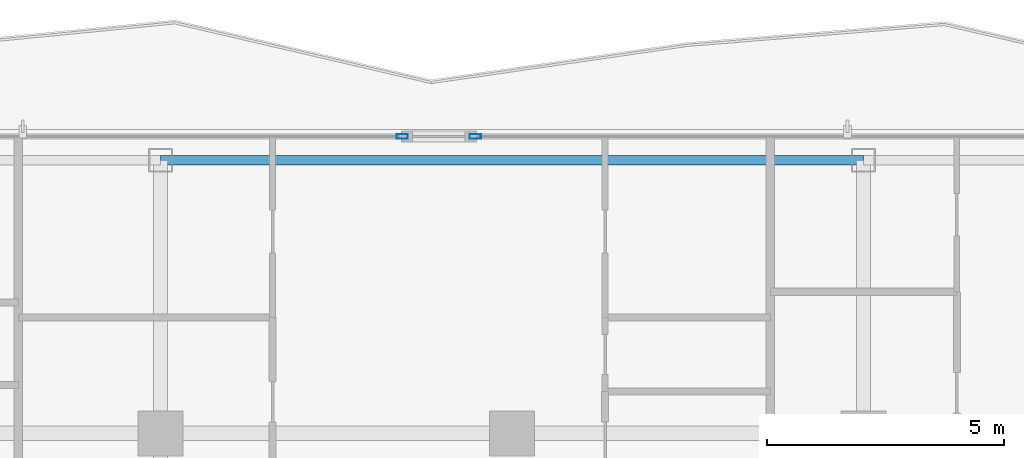
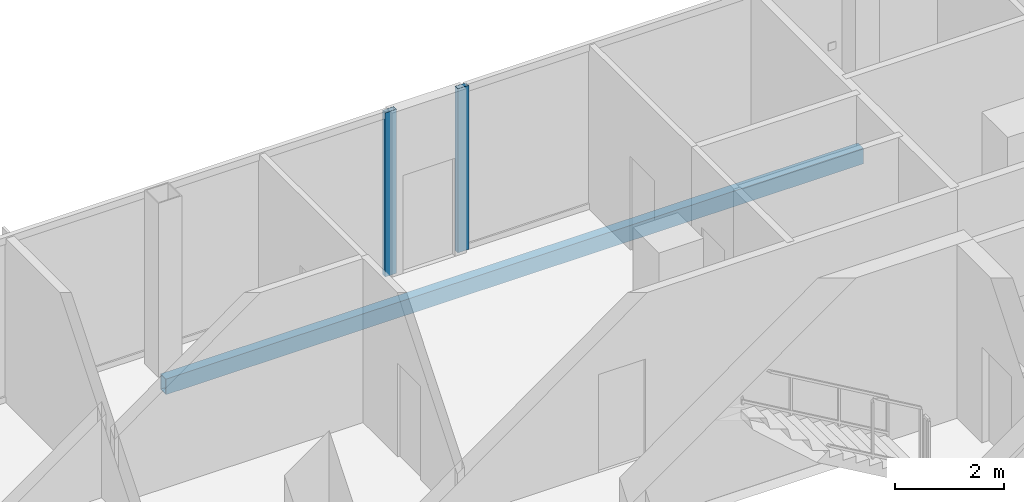
# One storey, part 13 of 26: 2 members, 1 beam, 2 elements without a shape of their own.
"""IFC4 building model written with IfcOpenShell, lengths in metres."""

from ifc_helpers import new_model, si_unit, direction, frame, origin, origin_2d, place, context, subcontext, project, spatial, hollow_rectangle, extrude, material, layer, layer_set, material_profile, profile_set, type_object, element, aggregate, save


model = new_model("IFC4")

# Units and contexts
model_context = context("Model", 3, precision=1e-05, world=origin(), true_north=direction((0.0, 1.0)))
body_context = subcontext(model_context, "Body", "Model", "MODEL_VIEW")
ifc_project = project(units=[si_unit("LENGTHUNIT", "METRE"), si_unit("AREAUNIT", "SQUARE_METRE"), si_unit("VOLUMEUNIT", "CUBIC_METRE"), si_unit("PLANEANGLEUNIT", "RADIAN"), si_unit("MASSUNIT", "GRAM", prefix="KILO")], contexts=[model_context])

# Site, building, storey
site_placement = place(None, origin())
site = spatial("IfcSite", under=ifc_project, at=site_placement, CompositionType="ELEMENT")
building_placement = place(site_placement, origin())
building = spatial("IfcBuilding", under=site, at=building_placement, Name="Khorvyn Point Tower", CompositionType="ELEMENT")
storey_placement = place(building_placement, frame((0.0, 0.0, 289.800048828125)))
storey = spatial("IfcBuildingStorey", under=building, at=storey_placement, Name="L71", CompositionType="ELEMENT", Elevation=289.800048828125)

# Curtain wall, member
ifc_material_1 = material(Name="Anodised aluminium 6063-T6 and laminated Low-E glass", Category="aluminium")
ifc_layer = layer(ifc_material_1, 0.18994140625)
ifc_layer_set = layer_set([ifc_layer], Name="Stick-Built High-Wind Curtain Wall CW-SYS-04")
curtain_wall_type = type_object("IfcCurtainWallType", Name="Stick-Built High-Wind Curtain Wall CW-SYS-04", PredefinedType="NOTDEFINED", material=ifc_layer_set)
curtain_wall_1_placement = place(storey_placement, origin())
curtain_wall_1 = element("IfcCurtainWall", 1, at=curtain_wall_1_placement, inside=storey, type_object=curtain_wall_type, Name="Curtain Wall", PredefinedType="NOTDEFINED")
ifc_material_2 = material(Name="Anodised aluminium 6063-T6", Category="aluminium")
ifc_material_profile_1 = material_profile(ifc_material_2, hollow_rectangle(XDim=0.10009765625, YDim=0.239990234375, WallThickness=0.0048828125, at=origin_2d()))
ifc_profile_set_1 = profile_set([ifc_material_profile_1], Name="Anodised aluminium 6063-T6 ALU-MUL-100x240")
member_type = type_object("IfcMemberType", Name="Anodised Aluminium 6063-T6 Mullion ALU-MUL-100x240", PredefinedType="MULLION", material=ifc_profile_set_1)
member_1_placement = place(storey_placement, frame((-2.31005859375, 21.050048828125, 0.0), z_axis=(0.0, 0.0, 1.0), x_axis=(0.0, 1.0, 0.0)))
member_1 = element("IfcMember", 2, at=member_1_placement, type_object=member_type, Name="Transom", PredefinedType="MULLION", context=body_context, shape_type="SweptSolid", body=[
    extrude(hollow_rectangle(XDim=0.10009765625, YDim=0.239990234375, WallThickness=0.0048828125, at=origin_2d()), origin(), (0.0, 0.0, 1.0), 3.679931640625),
])
aggregate(curtain_wall_1, [member_1])

curtain_wall_2_placement = place(storey_placement, origin())
curtain_wall_2 = element("IfcCurtainWall", 3, at=curtain_wall_2_placement, inside=storey, type_object=curtain_wall_type, Name="Curtain Wall", PredefinedType="NOTDEFINED")
member_2_placement = place(storey_placement, frame((-0.77001953125, 21.050048828125, 0.0), z_axis=(0.0, 0.0, 1.0), x_axis=(0.0, 1.0, 0.0)))
member_2 = element("IfcMember", 4, at=member_2_placement, type_object=member_type, Name="Transom", PredefinedType="MULLION", context=body_context, shape_type="SweptSolid", body=[
    extrude(hollow_rectangle(XDim=0.10009765625, YDim=0.239990234375, WallThickness=0.0048828125, at=origin_2d()), origin(), (0.0, 0.0, 1.0), 3.679931640625),
])
aggregate(curtain_wall_2, [member_2])

# Beam
ifc_material_3 = material(Name="Steel S355", Category="steel")
ifc_material_profile_2 = material_profile(ifc_material_3, hollow_rectangle(XDim=0.199951171875, YDim=0.35009765625, WallThickness=0.013916015625, at=origin_2d()))
ifc_profile_set_2 = profile_set([ifc_material_profile_2], Name="Steel S355 RHS350x200x14")
beam_type = type_object("IfcBeamType", Name="Steel S355 Spandrel RHS350x200x14", PredefinedType="SPANDREL", material=ifc_profile_set_2)
beam_placement = place(storey_placement, frame((-7.39990234375, 20.550048828125, -0.39501953125), z_axis=(1.0, 0.0, 0.0), x_axis=(0.0, 1.0, 0.0)))
element("IfcBeam", 5, at=beam_placement, inside=storey, type_object=beam_type, Name="Beam", PredefinedType="SPANDREL", context=body_context, shape_type="SweptSolid", body=[
    extrude(hollow_rectangle(XDim=0.199951171875, YDim=0.35009765625, WallThickness=0.013916015625, at=origin_2d()), origin(), (0.0, 0.0, 1.0), 14.7998046875),
])

save(model, "model.ifc")
